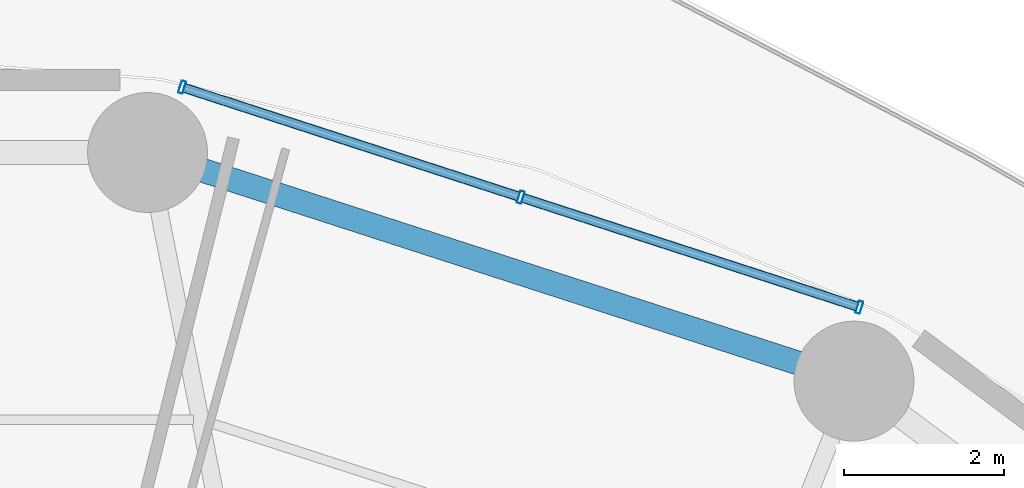
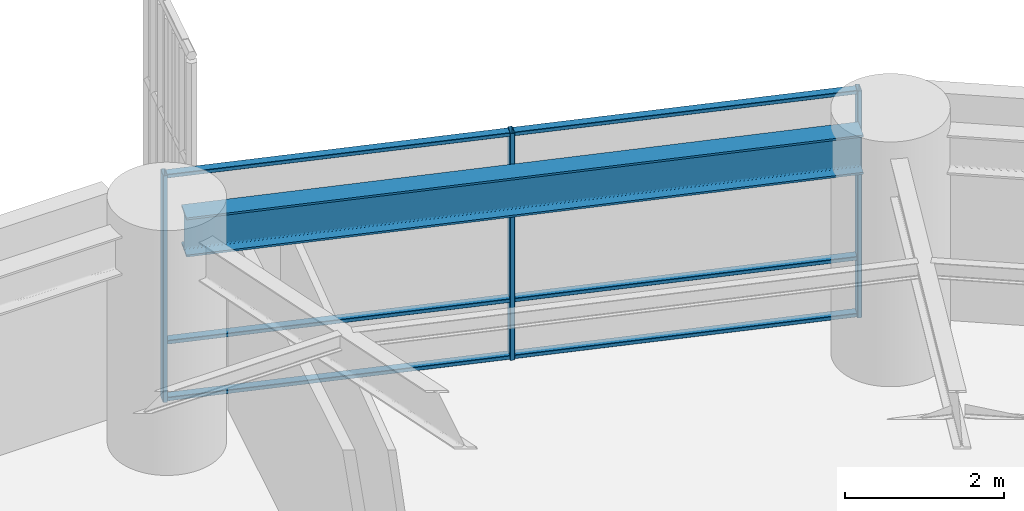
# One storey, part 22 of 33: 9 members, 1 beam, 1 element without a shape of its own.
"""IFC4 building model written with IfcOpenShell, lengths in metres."""

from ifc_helpers import new_model, si_unit, direction, frame, origin, origin_2d, place, context, subcontext, project, spatial, hollow_rectangle, i_section, extrude, material, layer, layer_set, material_profile, profile_set, type_object, element, aggregate, save


model = new_model("IFC4")

# Units and contexts
model_context = context("Model", 3, precision=1e-05, world=origin(), true_north=direction((0.0, 1.0)))
body_context = subcontext(model_context, "Body", "Model", "MODEL_VIEW")
ifc_project = project(units=[si_unit("LENGTHUNIT", "METRE"), si_unit("AREAUNIT", "SQUARE_METRE"), si_unit("VOLUMEUNIT", "CUBIC_METRE"), si_unit("PLANEANGLEUNIT", "RADIAN"), si_unit("MASSUNIT", "GRAM", prefix="KILO")], contexts=[model_context])

# Site, building, storey
site_placement = place(None, origin())
site = spatial("IfcSite", under=ifc_project, at=site_placement, CompositionType="ELEMENT")
building_placement = place(site_placement, origin())
building = spatial("IfcBuilding", under=site, at=building_placement, Name="Kelanora Arch Commons", CompositionType="ELEMENT")
storey_placement = place(building_placement, frame((0.0, 0.0, 26.25)))
storey = spatial("IfcBuildingStorey", under=building, at=storey_placement, Name="L06", CompositionType="ELEMENT", Elevation=26.25)

# Beam
ifc_material_1 = material(Name="Steel S355", Category="steel")
ifc_material_profile_1 = material_profile(ifc_material_1, i_section(OverallWidth=0.300048828125, OverallDepth=0.60009765625, WebThickness=0.015380859375, FlangeThickness=0.030029296875, FilletRadius=0.027099609375, at=origin_2d()), Name="HEB600")
ifc_profile_set_1 = profile_set([ifc_material_profile_1], Name="Steel S355")
beam_type = type_object("IfcBeamType", Name="BM-SPN-Z1", PredefinedType="SPANDREL", material=ifc_profile_set_1)
beam_placement = place(storey_placement, frame((87.178466796875, 78.970947265625, 3.18994140625), z_axis=(-0.951411839042, 0.307921276515, 0.0), x_axis=(-0.307921276515, -0.951411839042, 0.0)))
element("IfcBeam", 1, at=beam_placement, inside=storey, type_object=beam_type, Name="Perimeter Spandrel Beam BS-06 L06", PredefinedType="SPANDREL", context=body_context, shape_type="SweptSolid", body=[
    extrude(i_section(OverallWidth=0.300048828125, OverallDepth=0.60009765625, WebThickness=0.015380859375, FlangeThickness=0.030029296875, FilletRadius=0.027099609375, at=origin_2d()), origin(), (0.0, 0.0, 1.0), 8.68896484375),
])

# Curtain wall, members
ifc_material_2 = material(Name="Terracotta ceramic-fritted low-E glass and aluminium", Category="masonry")
ifc_layer = layer(ifc_material_2, 0.159912109375)
ifc_layer_set = layer_set([ifc_layer], Name="Terracotta ceramic-fritted low-E glass and aluminium")
curtain_wall_type = type_object("IfcCurtainWallType", Name="CW-SYS-01", PredefinedType="NOTDEFINED", material=ifc_layer_set)
curtain_wall_placement = place(storey_placement, origin())
curtain_wall = element("IfcCurtainWall", 2, at=curtain_wall_placement, inside=storey, type_object=curtain_wall_type, Name="Unitised Curtain Wall L06-B03", PredefinedType="NOTDEFINED")
ifc_material_3 = material(Name="Powder-coated aluminium terracotta", Category="masonry")
ifc_material_profile_2 = material_profile(ifc_material_3, hollow_rectangle(XDim=0.159912109375, YDim=0.06005859375, WallThickness=0.0048828125, InnerFilletRadius=0.0048828125, OuterFilletRadius=0.010009765625, at=origin_2d()), Name="CWM160x60")
ifc_profile_set_2 = profile_set([ifc_material_profile_2], Name="Powder-coated aluminium terracotta")
member_type_1 = type_object("IfcMemberType", Name="CWM-STD", PredefinedType="MULLION", material=ifc_profile_set_2)
member_1_placement = place(storey_placement, frame((87.607666015625, 79.778076171875, 0.0), z_axis=(0.0, 0.0, 1.0), x_axis=(-0.30905758454, -0.951043326793, 0.0)))
member_1 = element("IfcMember", 3, at=member_1_placement, type_object=member_type_1, Name="CW-01 mullion 1", PredefinedType="MULLION", context=body_context, shape_type="SweptSolid", body=[
    extrude(hollow_rectangle(XDim=0.159912109375, YDim=0.06005859375, WallThickness=0.0048828125, InnerFilletRadius=0.0048828125, OuterFilletRadius=0.010009765625, at=origin_2d()), origin(), (0.0, 0.0, 1.0), 3.47509765625),
])
member_2_placement = place(storey_placement, frame((83.37109375, 81.15478515625, 0.0), z_axis=(0.0, 0.0, 1.0), x_axis=(-0.30905758454, -0.951043326793, 0.0)))
member_2 = element("IfcMember", 4, at=member_2_placement, type_object=member_type_1, Name="CW-01 mullion 2", PredefinedType="MULLION", context=body_context, shape_type="SweptSolid", body=[
    extrude(hollow_rectangle(XDim=0.159912109375, YDim=0.06005859375, WallThickness=0.0048828125, InnerFilletRadius=0.0048828125, OuterFilletRadius=0.010009765625, at=origin_2d()), origin(), (0.0, 0.0, 1.0), 3.47509765625),
])
member_3_placement = place(storey_placement, frame((79.134521484375, 82.53173828125, 0.0), z_axis=(0.0, 0.0, 1.0), x_axis=(-0.30905758454, -0.951043326793, 0.0)))
member_3 = element("IfcMember", 5, at=member_3_placement, type_object=member_type_1, Name="CW-01 mullion 3", PredefinedType="MULLION", context=body_context, shape_type="SweptSolid", body=[
    extrude(hollow_rectangle(XDim=0.159912109375, YDim=0.06005859375, WallThickness=0.0048828125, InnerFilletRadius=0.0048828125, OuterFilletRadius=0.010009765625, at=origin_2d()), origin(), (0.0, 0.0, 1.0), 3.47509765625),
])
ifc_material_profile_3 = material_profile(ifc_material_3, hollow_rectangle(XDim=0.1201171875, YDim=0.06005859375, WallThickness=0.0048828125, InnerFilletRadius=0.0048828125, OuterFilletRadius=0.010009765625, at=origin_2d()), Name="CWT120x60")
ifc_profile_set_3 = profile_set([ifc_material_profile_3], Name="Powder-coated aluminium terracotta")
member_type_2 = type_object("IfcMemberType", Name="CWT-STD", PredefinedType="USERDEFINED", material=ifc_profile_set_3)
member_4_placement = place(storey_placement, frame((87.5791015625, 79.787353515625, 0.030029296875), z_axis=(-0.951045091182, 0.309052155047, 0.0), x_axis=(-0.309052155047, -0.951045091182, 0.0)))
member_4 = element("IfcMember", 6, at=member_4_placement, type_object=member_type_2, Name="CW-01 transom 1.1", ObjectType="TRANSOM", PredefinedType="USERDEFINED", context=body_context, shape_type="SweptSolid", body=[
    extrude(hollow_rectangle(XDim=0.1201171875, YDim=0.06005859375, WallThickness=0.0048828125, InnerFilletRadius=0.0048828125, OuterFilletRadius=0.010009765625, at=origin_2d()), origin(), (0.0, 0.0, 1.0), 4.39453125),
])
member_5_placement = place(storey_placement, frame((87.5791015625, 79.787353515625, 0.89990234375), z_axis=(-0.951045091182, 0.309052155047, 0.0), x_axis=(-0.309052155047, -0.951045091182, 0.0)))
member_5 = element("IfcMember", 7, at=member_5_placement, type_object=member_type_2, Name="CW-01 transom 1.2", ObjectType="TRANSOM", PredefinedType="USERDEFINED", context=body_context, shape_type="SweptSolid", body=[
    extrude(hollow_rectangle(XDim=0.1201171875, YDim=0.06005859375, WallThickness=0.0048828125, InnerFilletRadius=0.0048828125, OuterFilletRadius=0.010009765625, at=origin_2d()), origin(), (0.0, 0.0, 1.0), 4.39453125),
])
member_6_placement = place(storey_placement, frame((87.5791015625, 79.787353515625, 3.445068359375), z_axis=(-0.951045091182, 0.309052155047, 0.0), x_axis=(-0.309052155047, -0.951045091182, 0.0)))
member_6 = element("IfcMember", 8, at=member_6_placement, type_object=member_type_2, Name="CW-01 transom 1.3", ObjectType="TRANSOM", PredefinedType="USERDEFINED", context=body_context, shape_type="SweptSolid", body=[
    extrude(hollow_rectangle(XDim=0.1201171875, YDim=0.06005859375, WallThickness=0.0048828125, InnerFilletRadius=0.0048828125, OuterFilletRadius=0.010009765625, at=origin_2d()), origin(), (0.0, 0.0, 1.0), 4.39453125),
])
member_7_placement = place(storey_placement, frame((83.342529296875, 81.1640625, 0.030029296875), z_axis=(-0.951028761285, 0.309102402464, 0.0), x_axis=(-0.309102402464, -0.951028761285, 0.0)))
member_7 = element("IfcMember", 9, at=member_7_placement, type_object=member_type_2, Name="CW-01 transom 2.1", ObjectType="TRANSOM", PredefinedType="USERDEFINED", context=body_context, shape_type="SweptSolid", body=[
    extrude(hollow_rectangle(XDim=0.1201171875, YDim=0.06005859375, WallThickness=0.0048828125, InnerFilletRadius=0.0048828125, OuterFilletRadius=0.010009765625, at=origin_2d()), origin(), (0.0, 0.0, 1.0), 4.394775390625),
])
member_8_placement = place(storey_placement, frame((83.342529296875, 81.1640625, 0.89990234375), z_axis=(-0.951028761285, 0.309102402464, 0.0), x_axis=(-0.309102402464, -0.951028761285, 0.0)))
member_8 = element("IfcMember", 10, at=member_8_placement, type_object=member_type_2, Name="CW-01 transom 2.2", ObjectType="TRANSOM", PredefinedType="USERDEFINED", context=body_context, shape_type="SweptSolid", body=[
    extrude(hollow_rectangle(XDim=0.1201171875, YDim=0.06005859375, WallThickness=0.0048828125, InnerFilletRadius=0.0048828125, OuterFilletRadius=0.010009765625, at=origin_2d()), origin(), (0.0, 0.0, 1.0), 4.394775390625),
])
member_9_placement = place(storey_placement, frame((83.342529296875, 81.1640625, 3.445068359375), z_axis=(-0.951028761285, 0.309102402464, 0.0), x_axis=(-0.309102402464, -0.951028761285, 0.0)))
member_9 = element("IfcMember", 11, at=member_9_placement, type_object=member_type_2, Name="CW-01 transom 2.3", ObjectType="TRANSOM", PredefinedType="USERDEFINED", context=body_context, shape_type="SweptSolid", body=[
    extrude(hollow_rectangle(XDim=0.1201171875, YDim=0.06005859375, WallThickness=0.0048828125, InnerFilletRadius=0.0048828125, OuterFilletRadius=0.010009765625, at=origin_2d()), origin(), (0.0, 0.0, 1.0), 4.394775390625),
])
aggregate(curtain_wall, [member_1, member_2, member_3, member_4, member_5, member_6, member_7, member_8, member_9])

save(model, "model.ifc")
